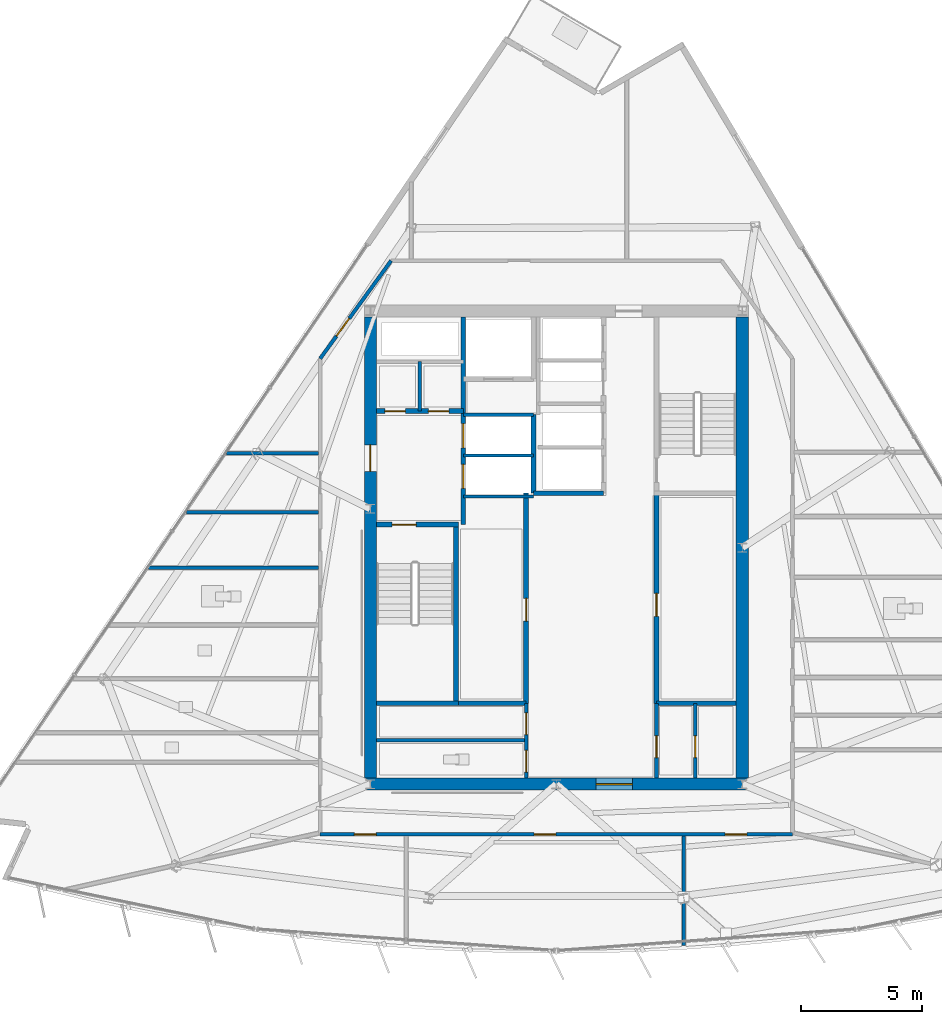
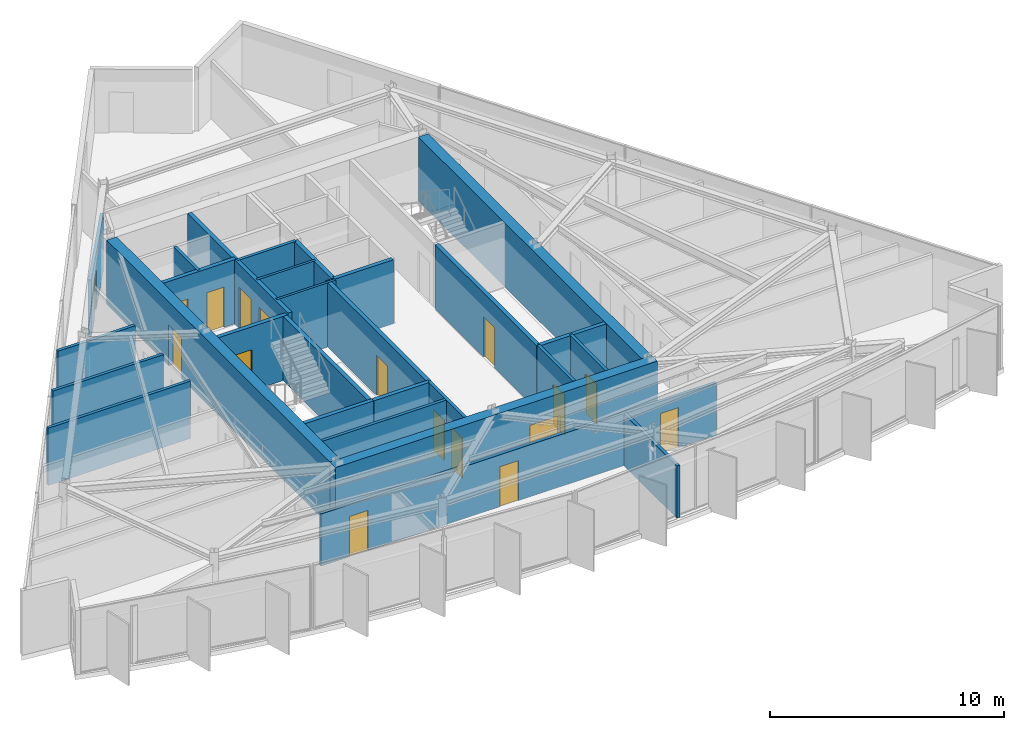
# One storey, part 7 of 13: 28 walls, 17 doors, 17 openings.
"""IFC4 building model written with IfcOpenShell, lengths in metres."""

from ifc_helpers import new_model, si_unit, direction, frame, frame_2d, origin, place, context, subcontext, project, spatial, rectangle, extrude, material, layer, layer_set, type_object, element, fill, save


model = new_model("IFC4")

# Units and contexts
model_context = context("Model", 3, precision=1e-05, world=origin(), true_north=direction((0.0, 1.0)))
body_context = subcontext(model_context, "Body", "Model", "MODEL_VIEW")
ifc_project = project(units=[si_unit("LENGTHUNIT", "METRE"), si_unit("AREAUNIT", "SQUARE_METRE"), si_unit("VOLUMEUNIT", "CUBIC_METRE"), si_unit("PLANEANGLEUNIT", "RADIAN"), si_unit("MASSUNIT", "GRAM", prefix="KILO")], contexts=[model_context])

# Site, building, storey
site_placement = place(None, origin())
site = spatial("IfcSite", under=ifc_project, at=site_placement, CompositionType="ELEMENT")
building_placement = place(site_placement, origin())
building = spatial("IfcBuilding", under=site, at=building_placement, Name="Savorim Split Tower", CompositionType="ELEMENT")
storey_placement = place(building_placement, frame((0.0, 0.0, 258.0)))
storey = spatial("IfcBuildingStorey", under=building, at=storey_placement, Name="L68", CompositionType="ELEMENT", Elevation=258.0)

# Wall, opening, door
ifc_material_1 = material(Name="Concrete C60/75", Category="concrete")
ifc_layer_1 = layer(ifc_material_1, 0.5)
ifc_layer_set_1 = layer_set([ifc_layer_1], Name="WAL-COR-SH500")
wall_type_1 = type_object("IfcWallType", Name="WAL-COR-SH500", PredefinedType="SHEAR", material=ifc_layer_set_1)
wall_1_placement = place(storey_placement, frame((-7.949951171875, -9.39990234375, 0.0), z_axis=(0.0, 0.0, 1.0), x_axis=(1.0, 0.0, 0.0)))
wall_1 = element("IfcWall", 1, at=wall_1_placement, inside=storey, type_object=wall_type_1, Name="L68 Offset Core South Shear Wall", PredefinedType="SHEAR", context=body_context, shape_type="SweptSolid", body=[
    extrude(rectangle(XDim=15.89990234375, YDim=0.5, at=frame_2d((7.949951171875, 0.0))), origin(), (0.0, 0.0, 1.0), 3.35009765625),
])
opening_1_placement = place(wall_1_placement, frame((9.60009765625, 0.0, 0.0)))
opening_1 = element("IfcOpeningElement", 2, at=opening_1_placement, cuts=wall_1, Name="Opening DI-02", PredefinedType="OPENING", context=body_context, shape_type="SweptSolid", body=[
    extrude(rectangle(XDim=1.5, YDim=2.199951171875, at=frame_2d((0.75, 1.10009765625))), frame((0.0, 0.260009765625, 0.0), z_axis=(0.0, -1.0, 0.0), x_axis=(1.0, 0.0, 0.0)), (0.0, 0.0, 1.0), 0.52001953125),
])
ifc_material_2 = material(Name="Timber Fire Door Leaf", Category="wood")
door_type_1 = type_object("IfcDoorType", Name="DOR-DBL-1500", OperationType="NOTDEFINED", PredefinedType="DOOR", material=ifc_material_2)
door_1_placement = place(opening_1_placement, origin())
door_1 = element("IfcDoor", 3, at=door_1_placement, inside=storey, type_object=door_type_1, Name="DOR-L68-COR-LLOB - L68 Lift Lobby Main Rated Door", OperationType="DOUBLE_DOOR_SINGLE_SWING", OverallHeight=2.199951171875, OverallWidth=1.5, PredefinedType="DOOR", context=body_context, shape_type="SweptSolid", body=[
    extrude(rectangle(XDim=1.5, YDim=2.199951171875, at=frame_2d((0.75, 1.10009765625))), frame((0.0, 0.02490234375, 0.0), z_axis=(0.0, -1.0, 0.0), x_axis=(1.0, 0.0, 0.0)), (0.0, 0.0, 1.0), 0.050048828125),
])
fill(opening_1, door_1)

wall_2_placement = place(storey_placement, frame((-7.699951171875, -9.14990234375, 0.0), z_axis=(0.0, 0.0, 1.0), x_axis=(0.0, 1.0, 0.0)))
wall_2 = element("IfcWall", 4, at=wall_2_placement, inside=storey, type_object=wall_type_1, Name="L68 Offset Core West Shear Wall", PredefinedType="SHEAR", context=body_context, shape_type="SweptSolid", body=[
    extrude(rectangle(XDim=19.099853515625, YDim=0.5, at=frame_2d((9.5498046875, 0.0))), origin(), (0.0, 0.0, 1.0), 3.35009765625),
])
opening_2_placement = place(wall_2_placement, frame((12.699951171875, 0.0, 0.0)))
opening_2 = element("IfcOpeningElement", 5, at=opening_2_placement, cuts=wall_2, Name="Opening DI-03", PredefinedType="OPENING", context=body_context, shape_type="SweptSolid", body=[
    extrude(rectangle(XDim=1.10009765625, YDim=2.14990234375, at=frame_2d((0.550048828125, 1.074951171875))), frame((0.0, 0.260009765625, 0.0), z_axis=(0.0, -1.0, 0.0), x_axis=(1.0, 0.0, 0.0)), (0.0, 0.0, 1.0), 0.52001953125),
])
door_type_2 = type_object("IfcDoorType", Name="DOR-FIR-1100", OperationType="NOTDEFINED", PredefinedType="DOOR", material=ifc_material_2)
door_2_placement = place(opening_2_placement, origin())
door_2 = element("IfcDoor", 6, at=door_2_placement, inside=storey, type_object=door_type_2, Name="DOR-L68-COR-FFLOB - L68 Firefighting Lobby Corridor Door", OperationType="SINGLE_SWING_RIGHT", OverallHeight=2.14990234375, OverallWidth=1.10009765625, PredefinedType="DOOR", context=body_context, shape_type="SweptSolid", body=[
    extrude(rectangle(XDim=1.10009765625, YDim=2.14990234375, at=frame_2d((0.550048828125, 1.074951171875))), frame((0.0, 0.02490234375, 0.0), z_axis=(0.0, -1.0, 0.0), x_axis=(1.0, 0.0, 0.0)), (0.0, 0.0, 1.0), 0.050048828125),
])
fill(opening_2, door_2)

# Wall
wall_3_placement = place(storey_placement, frame((7.699951171875, 9.949951171875, 0.0), z_axis=(0.0, 0.0, 1.0), x_axis=(0.0, -1.0, 0.0)))
element("IfcWall", 7, at=wall_3_placement, inside=storey, type_object=wall_type_1, Name="L68 Offset Core East Shear Wall", PredefinedType="SHEAR", context=body_context, shape_type="SweptSolid", body=[
    extrude(rectangle(XDim=19.099853515625, YDim=0.5, at=frame_2d((9.5498046875, 0.0))), origin(), (0.0, 0.0, 1.0), 3.35009765625),
])

# Wall, opening, door
ifc_material_3 = material(Name="Concrete C50/60", Category="concrete")
ifc_layer_2 = layer(ifc_material_3, 0.199951171875)
ifc_layer_set_2 = layer_set([ifc_layer_2], Name="WAL-INT-RC200")
wall_type_2 = type_object("IfcWallType", Name="WAL-INT-RC200", PredefinedType="SOLIDWALL", material=ifc_layer_set_2)
wall_4_placement = place(storey_placement, frame((-7.449951171875, 1.35009765625, 0.0), z_axis=(0.0, 0.0, 1.0), x_axis=(1.0, 0.0, 0.0)))
wall_4 = element("IfcWall", 8, at=wall_4_placement, inside=storey, type_object=wall_type_2, Name="L68 Structural Shaft Wall W-L68-CR01", PredefinedType="SOLIDWALL", context=body_context, shape_type="SweptSolid", body=[
    extrude(rectangle(XDim=3.39990234375, YDim=0.199951171875, at=frame_2d((1.699951171875, 0.0))), origin(), (0.0, 0.0, 1.0), 3.35009765625),
])
opening_3_placement = place(wall_4_placement, frame((0.64990234375, 0.0, 0.0)))
opening_3 = element("IfcOpeningElement", 9, at=opening_3_placement, cuts=wall_4, Name="Opening DI-04", PredefinedType="OPENING", context=body_context, shape_type="SweptSolid", body=[
    extrude(rectangle(XDim=1.0, YDim=2.14990234375, at=frame_2d((0.5, 1.074951171875))), frame((0.0, 0.10986328125, 0.0), z_axis=(0.0, -1.0, 0.0), x_axis=(1.0, 0.0, 0.0)), (0.0, 0.0, 1.0), 0.219970703125),
])
door_type_3 = type_object("IfcDoorType", Name="DOR-FIR-1000", OperationType="NOTDEFINED", PredefinedType="DOOR", material=ifc_material_2)
door_3_placement = place(opening_3_placement, origin())
door_3 = element("IfcDoor", 10, at=door_3_placement, inside=storey, type_object=door_type_3, Name="DR-L68-ST1 - L68 Stair ST-1 Enclosure Door", OperationType="SINGLE_SWING_LEFT", OverallHeight=2.14990234375, OverallWidth=1.0, PredefinedType="DOOR", context=body_context, shape_type="SweptSolid", body=[
    extrude(rectangle(XDim=1.0, YDim=2.14990234375, at=frame_2d((0.5, 1.074951171875))), frame((0.0, 0.02490234375, 0.0), z_axis=(0.0, -1.0, 0.0), x_axis=(1.0, 0.0, 0.0)), (0.0, 0.0, 1.0), 0.050048828125),
])
fill(opening_3, door_3)

# Wall
wall_5_placement = place(storey_placement, frame((-4.14990234375, -5.949951171875, 0.0), z_axis=(0.0, 0.0, 1.0), x_axis=(0.0, 1.0, 0.0)))
element("IfcWall", 11, at=wall_5_placement, inside=storey, type_object=wall_type_2, Name="L68 Structural Shaft Wall W-L68-CR02", PredefinedType="SOLIDWALL", context=body_context, shape_type="SweptSolid", body=[
    extrude(rectangle(XDim=7.199951171875, YDim=0.199951171875, at=frame_2d((3.60009765625, 0.0))), origin(), (0.0, 0.0, 1.0), 3.35009765625),
])

# Wall, openings, doors
wall_6_placement = place(storey_placement, frame((-3.85009765625, 1.35009765625, 0.0), z_axis=(0.0, 0.0, 1.0), x_axis=(0.0, 1.0, 0.0)))
wall_6 = element("IfcWall", 12, at=wall_6_placement, inside=storey, type_object=wall_type_2, Name="L68 Partition W-L68-CR03", PredefinedType="SOLIDWALL", context=body_context, shape_type="SweptSolid", body=[
    extrude(rectangle(XDim=8.594970703125, YDim=0.199951171875, at=frame_2d((4.29736328125, 0.0))), origin(), (0.0, 0.0, 1.0), 3.35009765625),
])
opening_4_placement = place(wall_6_placement, frame((1.5, 0.0, 0.0)))
opening_4 = element("IfcOpeningElement", 13, at=opening_4_placement, cuts=wall_6, Name="Opening LD-FFL", PredefinedType="OPENING", context=body_context, shape_type="SweptSolid", body=[
    extrude(rectangle(XDim=1.0, YDim=2.14990234375, at=frame_2d((0.5, 1.074951171875))), frame((0.0, 0.10986328125, 0.0), z_axis=(0.0, -1.0, 0.0), x_axis=(1.0, 0.0, 0.0)), (0.0, 0.0, 1.0), 0.219970703125),
])
opening_5_placement = place(wall_6_placement, frame((3.179931640625, 0.0, 0.0)))
opening_5 = element("IfcOpeningElement", 14, at=opening_5_placement, cuts=wall_6, Name="Opening LD-FFL", PredefinedType="OPENING", context=body_context, shape_type="SweptSolid", body=[
    extrude(rectangle(XDim=1.0, YDim=2.14990234375, at=frame_2d((0.5, 1.074951171875))), frame((0.0, 0.10986328125, 0.0), z_axis=(0.0, -1.0, 0.0), x_axis=(1.0, 0.0, 0.0)), (0.0, 0.0, 1.0), 0.219970703125),
])
ifc_material_4 = material(Name="Charcoal Anodised Aluminium", Category="aluminium")
door_type_4 = type_object("IfcDoorType", Name="DOR-SLD-LD1000", OperationType="NOTDEFINED", PredefinedType="DOOR", material=ifc_material_4)
door_4_placement = place(opening_4_placement, origin())
door_4 = element("IfcDoor", 15, at=door_4_placement, inside=storey, type_object=door_type_4, Name="DR-L68-LD-FFL1 - L68 Firefighting Lift FFL-1 Sliding Landing Door", OperationType="DOUBLE_DOOR_SLIDING", OverallHeight=2.14990234375, OverallWidth=1.0, PredefinedType="DOOR", context=body_context, shape_type="SweptSolid", body=[
    extrude(rectangle(XDim=1.0, YDim=2.14990234375, at=frame_2d((0.5, 1.074951171875))), frame((0.0, 0.02490234375, 0.0), z_axis=(0.0, -1.0, 0.0), x_axis=(1.0, 0.0, 0.0)), (0.0, 0.0, 1.0), 0.050048828125),
])
fill(opening_4, door_4)
door_5_placement = place(opening_5_placement, origin())
door_5 = element("IfcDoor", 16, at=door_5_placement, inside=storey, type_object=door_type_4, Name="DR-L68-LD-FFL2 - L68 Firefighting Lift FFL-2 Sliding Landing Door", OperationType="DOUBLE_DOOR_SLIDING", OverallHeight=2.14990234375, OverallWidth=1.0, PredefinedType="DOOR", context=body_context, shape_type="SweptSolid", body=[
    extrude(rectangle(XDim=1.0, YDim=2.14990234375, at=frame_2d((0.5, 1.074951171875))), frame((0.0, 0.02490234375, 0.0), z_axis=(0.0, -1.0, 0.0), x_axis=(1.0, 0.0, 0.0)), (0.0, 0.0, 1.0), 0.050048828125),
])
fill(opening_5, door_5)

wall_7_placement = place(storey_placement, frame((-7.445068359375, 6.050048828125, 0.0), z_axis=(0.0, 0.0, 1.0), x_axis=(1.0, 0.0, 0.0)))
wall_7 = element("IfcWall", 17, at=wall_7_placement, inside=storey, type_object=wall_type_2, Name="L68 Partition W-L68-CR04", PredefinedType="SOLIDWALL", context=body_context, shape_type="SweptSolid", body=[
    extrude(rectangle(XDim=3.594970703125, YDim=0.199951171875, at=frame_2d((1.79736328125, 0.0))), origin(), (0.0, 0.0, 1.0), 3.35009765625),
])
opening_6_placement = place(wall_7_placement, frame((0.344970703125, 0.0, 0.0)))
opening_6 = element("IfcOpeningElement", 18, at=opening_6_placement, cuts=wall_7, Name="Opening DI-12", PredefinedType="OPENING", context=body_context, shape_type="SweptSolid", body=[
    extrude(rectangle(XDim=0.85009765625, YDim=2.10009765625, at=frame_2d((0.425048828125, 1.050048828125))), frame((0.0, 0.10986328125, 0.0), z_axis=(0.0, -1.0, 0.0), x_axis=(1.0, 0.0, 0.0)), (0.0, 0.0, 1.0), 0.219970703125),
])
opening_7_placement = place(wall_7_placement, frame((2.14501953125, 0.0, 0.0)))
opening_7 = element("IfcOpeningElement", 19, at=opening_7_placement, cuts=wall_7, Name="Opening DI-12", PredefinedType="OPENING", context=body_context, shape_type="SweptSolid", body=[
    extrude(rectangle(XDim=0.85009765625, YDim=2.10009765625, at=frame_2d((0.425048828125, 1.050048828125))), frame((0.0, 0.10986328125, 0.0), z_axis=(0.0, -1.0, 0.0), x_axis=(1.0, 0.0, 0.0)), (0.0, 0.0, 1.0), 0.219970703125),
])
ifc_material_5 = material(Name="Galvanised Painted Steel Balustrade", Category="steel")
door_type_5 = type_object("IfcDoorType", Name="DOR-RIS-850", OperationType="NOTDEFINED", PredefinedType="DOOR", material=ifc_material_5)
door_6_placement = place(opening_6_placement, origin())
door_6 = element("IfcDoor", 20, at=door_6_placement, inside=storey, type_object=door_type_5, Name="DR-L68-ELR - L68 Electrical Riser Access Door", OperationType="SINGLE_SWING_RIGHT", OverallHeight=2.10009765625, OverallWidth=0.85009765625, PredefinedType="DOOR", context=body_context, shape_type="SweptSolid", body=[
    extrude(rectangle(XDim=0.85009765625, YDim=2.10009765625, at=frame_2d((0.425048828125, 1.050048828125))), frame((0.0, 0.02490234375, 0.0), z_axis=(0.0, -1.0, 0.0), x_axis=(1.0, 0.0, 0.0)), (0.0, 0.0, 1.0), 0.050048828125),
])
fill(opening_6, door_6)
door_7_placement = place(opening_7_placement, origin())
door_7 = element("IfcDoor", 21, at=door_7_placement, inside=storey, type_object=door_type_5, Name="DR-L68-TLR - L68 Telecom Riser Access Door", OperationType="SINGLE_SWING_LEFT", OverallHeight=2.10009765625, OverallWidth=0.85009765625, PredefinedType="DOOR", context=body_context, shape_type="SweptSolid", body=[
    extrude(rectangle(XDim=0.85009765625, YDim=2.10009765625, at=frame_2d((0.425048828125, 1.050048828125))), frame((0.0, 0.02490234375, 0.0), z_axis=(0.0, -1.0, 0.0), x_axis=(1.0, 0.0, 0.0)), (0.0, 0.0, 1.0), 0.050048828125),
])
fill(opening_7, door_7)

# Wall
wall_8_placement = place(storey_placement, frame((-0.949951171875, 2.64990234375, 0.0), z_axis=(0.0, 0.0, 1.0), x_axis=(0.0, 1.0, 0.0)))
element("IfcWall", 22, at=wall_8_placement, inside=storey, type_object=wall_type_2, Name="L68 Partition W-L68-FFLW", PredefinedType="SOLIDWALL", context=body_context, shape_type="SweptSolid", body=[
    extrude(rectangle(XDim=3.27001953125, YDim=0.199951171875, at=frame_2d((1.635009765625, 0.0))), origin(), (0.0, 0.0, 1.0), 3.35009765625),
])

# Wall, opening, door
wall_9_placement = place(storey_placement, frame((4.14990234375, -6.050048828125, 0.0), z_axis=(0.0, 0.0, 1.0), x_axis=(0.0, 1.0, 0.0)))
wall_9 = element("IfcWall", 23, at=wall_9_placement, inside=storey, type_object=wall_type_2, Name="L68 Partition W-L68-B1FRONT", PredefinedType="SOLIDWALL", context=body_context, shape_type="SweptSolid", body=[
    extrude(rectangle(XDim=8.699951171875, YDim=0.199951171875, at=frame_2d((4.35009765625, 0.0))), origin(), (0.0, 0.0, 1.0), 3.35009765625),
])
opening_8_placement = place(wall_9_placement, frame((3.60009765625, 0.0, 0.0)))
opening_8 = element("IfcOpeningElement", 24, at=opening_8_placement, cuts=wall_9, Name="Opening DI-05", PredefinedType="OPENING", context=body_context, shape_type="SweptSolid", body=[
    extrude(rectangle(XDim=0.949951171875, YDim=2.10009765625, at=frame_2d((0.47509765625, 1.050048828125))), frame((0.0, 0.10986328125, 0.0), z_axis=(0.0, -1.0, 0.0), x_axis=(1.0, 0.0, 0.0)), (0.0, 0.0, 1.0), 0.219970703125),
])
door_type_6 = type_object("IfcDoorType", Name="DOR-FIR-950", OperationType="NOTDEFINED", PredefinedType="DOOR", material=ifc_material_2)
door_8_placement = place(opening_8_placement, origin())
door_8 = element("IfcDoor", 25, at=door_8_placement, inside=storey, type_object=door_type_6, Name="DR-L68-LV7B1 - L68 Shared Pantry and Linen Room Door", OperationType="SINGLE_SWING_RIGHT", OverallHeight=2.10009765625, OverallWidth=0.949951171875, PredefinedType="DOOR", context=body_context, shape_type="SweptSolid", body=[
    extrude(rectangle(XDim=0.949951171875, YDim=2.10009765625, at=frame_2d((0.47509765625, 1.050048828125))), frame((0.0, 0.02490234375, 0.0), z_axis=(0.0, -1.0, 0.0), x_axis=(1.0, 0.0, 0.0)), (0.0, 0.0, 1.0), 0.050048828125),
])
fill(opening_8, door_8)

wall_10_placement = place(storey_placement, frame((-1.25, -6.050048828125, 0.0), z_axis=(0.0, 0.0, 1.0), x_axis=(0.0, 1.0, 0.0)))
wall_10 = element("IfcWall", 26, at=wall_10_placement, inside=storey, type_object=wall_type_2, Name="L68 Partition W-L68-B2FRONT", PredefinedType="SOLIDWALL", context=body_context, shape_type="SweptSolid", body=[
    extrude(rectangle(XDim=8.699951171875, YDim=0.199951171875, at=frame_2d((4.35009765625, 0.0))), origin(), (0.0, 0.0, 1.0), 3.35009765625),
])
opening_9_placement = place(wall_10_placement, frame((3.39990234375, 0.0, 0.0)))
opening_9 = element("IfcOpeningElement", 27, at=opening_9_placement, cuts=wall_10, Name="Opening DI-05", PredefinedType="OPENING", context=body_context, shape_type="SweptSolid", body=[
    extrude(rectangle(XDim=0.949951171875, YDim=2.10009765625, at=frame_2d((0.47509765625, 1.050048828125))), frame((0.0, 0.10986328125, 0.0), z_axis=(0.0, -1.0, 0.0), x_axis=(1.0, 0.0, 0.0)), (0.0, 0.0, 1.0), 0.219970703125),
])
door_9_placement = place(opening_9_placement, origin())
door_9 = element("IfcDoor", 28, at=door_9_placement, inside=storey, type_object=door_type_6, Name="DR-L68-LV7B2 - L68 Housekeeping and Parcel Room Door", OperationType="SINGLE_SWING_LEFT", OverallHeight=2.10009765625, OverallWidth=0.949951171875, PredefinedType="DOOR", context=body_context, shape_type="SweptSolid", body=[
    extrude(rectangle(XDim=0.949951171875, YDim=2.10009765625, at=frame_2d((0.47509765625, 1.050048828125))), frame((0.0, 0.02490234375, 0.0), z_axis=(0.0, -1.0, 0.0), x_axis=(1.0, 0.0, 0.0)), (0.0, 0.0, 1.0), 0.050048828125),
])
fill(opening_9, door_9)

# Walls
wall_11_placement = place(storey_placement, frame((-0.949951171875, 2.64990234375, 0.0), z_axis=(0.0, 0.0, 1.0), x_axis=(1.0, 0.0, 0.0)))
element("IfcWall", 29, at=wall_11_placement, inside=storey, type_object=wall_type_2, Name="L68 Partition W-L68-B3SOUTH", PredefinedType="SOLIDWALL", context=body_context, shape_type="SweptSolid", body=[
    extrude(rectangle(XDim=2.89990234375, YDim=0.199951171875, at=frame_2d((1.449951171875, 0.0))), origin(), (0.0, 0.0, 1.0), 3.35009765625),
])
wall_12_placement = place(storey_placement, frame((-7.449951171875, -6.050048828125, 0.0), z_axis=(0.0, 0.0, 1.0), x_axis=(1.0, 0.0, 0.0)))
element("IfcWall", 30, at=wall_12_placement, inside=storey, type_object=wall_type_2, Name="L68 Structural Shaft Wall W-L68-KSEP-W", PredefinedType="SOLIDWALL", context=body_context, shape_type="SweptSolid", body=[
    extrude(rectangle(XDim=3.39990234375, YDim=0.199951171875, at=frame_2d((1.699951171875, 0.0))), origin(), (0.0, 0.0, 1.0), 3.35009765625),
])
wall_13_placement = place(storey_placement, frame((-4.0400390625, -6.050048828125, 0.0), z_axis=(0.0, 0.0, 1.0), x_axis=(1.0, 0.0, 0.0)))
element("IfcWall", 31, at=wall_13_placement, inside=storey, type_object=wall_type_2, Name="L68 Partition W-L68-KSEP-W2", PredefinedType="SOLIDWALL", context=body_context, shape_type="SweptSolid", body=[
    extrude(rectangle(XDim=2.7900390625, YDim=0.199951171875, at=frame_2d((1.39501953125, 0.0))), origin(), (0.0, 0.0, 1.0), 3.35009765625),
])
wall_14_placement = place(storey_placement, frame((4.14990234375, -6.050048828125, 0.0), z_axis=(0.0, 0.0, 1.0), x_axis=(1.0, 0.0, 0.0)))
element("IfcWall", 32, at=wall_14_placement, inside=storey, type_object=wall_type_2, Name="L68 Partition W-L68-KSEP-E", PredefinedType="SOLIDWALL", context=body_context, shape_type="SweptSolid", body=[
    extrude(rectangle(XDim=3.295166015625, YDim=0.199951171875, at=frame_2d((1.6474609375, 0.0))), origin(), (0.0, 0.0, 1.0), 3.35009765625),
])
ifc_material_6 = material(Name="Acoustic Gypsum Partition Board")
ifc_layer_3 = layer(ifc_material_6, 0.1201171875)
ifc_layer_set_3 = layer_set([ifc_layer_3], Name="WAL-PAR-120")
wall_type_3 = type_object("IfcWallType", Name="WAL-PAR-120", PredefinedType="PARTITIONING", material=ifc_layer_set_3)
for number, where, z_axis, x_axis, name in (
    (33, (-3.85009765625, 2.52001953125, 0.0), (0.0, 0.0, 1.0), (1.0, 0.0, 0.0), "L68 Partition W-L68-FFLD0"),
    (34, (-3.85009765625, 4.219970703125, 0.0), (0.0, 0.0, 1.0), (1.0, 0.0, 0.0), "L68 Partition W-L68-FFLD1"),
):
    element("IfcWall", number, at=place(storey_placement, frame(where, z_axis=z_axis, x_axis=x_axis)), inside=storey, type_object=wall_type_3, Name=name, PredefinedType="PARTITIONING", context=body_context, shape_type="SweptSolid", body=[
        extrude(rectangle(XDim=2.900146484375, YDim=0.1201171875, at=frame_2d((1.4501953125, 0.0))), origin(), (0.0, 0.0, 1.0), 3.35009765625),
    ])
ifc_layer_4 = layer(ifc_material_6, 0.14990234375)
ifc_layer_set_4 = layer_set([ifc_layer_4], Name="WAL-PAR-150")
wall_type_4 = type_object("IfcWallType", Name="WAL-PAR-150", PredefinedType="PARTITIONING", material=ifc_layer_set_4)
wall_15_placement = place(storey_placement, frame((-5.64990234375, 6.050048828125, 0.0), z_axis=(0.0, 0.0, 1.0), x_axis=(0.0, 1.0, 0.0)))
element("IfcWall", 35, at=wall_15_placement, inside=storey, type_object=wall_type_4, Name="L68 Partition W-L68-CR06", PredefinedType="PARTITIONING", context=body_context, shape_type="SweptSolid", body=[
    extrude(rectangle(XDim=2.050048828125, YDim=0.14990234375, at=frame_2d((1.02490234375, 0.0))), origin(), (0.0, 0.0, 1.0), 3.35009765625),
])
wall_16_placement = place(storey_placement, frame((-3.85009765625, 5.89990234375, 0.0), z_axis=(0.0, 0.0, 1.0), x_axis=(1.0, 0.0, 0.0)))
element("IfcWall", 36, at=wall_16_placement, inside=storey, type_object=wall_type_4, Name="L68 Partition W-L68-FFLD2", PredefinedType="PARTITIONING", context=body_context, shape_type="SweptSolid", body=[
    extrude(rectangle(XDim=2.900146484375, YDim=0.14990234375, at=frame_2d((1.4501953125, 0.0))), origin(), (0.0, 0.0, 1.0), 3.35009765625),
])

# Wall, openings, doors
wall_17_placement = place(storey_placement, frame((-1.25, -9.14501953125, 0.0), z_axis=(0.0, 0.0, 1.0), x_axis=(0.0, 1.0, 0.0)))
wall_17 = element("IfcWall", 37, at=wall_17_placement, inside=storey, type_object=wall_type_4, Name="L68 Partition W-L68-KLOB-W", PredefinedType="PARTITIONING", context=body_context, shape_type="SweptSolid", body=[
    extrude(rectangle(XDim=3.094970703125, YDim=0.14990234375, at=frame_2d((1.54736328125, 0.0))), origin(), (0.0, 0.0, 1.0), 3.35009765625),
])
opening_10_placement = place(wall_17_placement, frame((1.794921875, 0.0, 0.0)))
opening_10 = element("IfcOpeningElement", 38, at=opening_10_placement, cuts=wall_17, Name="Opening DI-06", PredefinedType="OPENING", context=body_context, shape_type="SweptSolid", body=[
    extrude(rectangle(XDim=0.89990234375, YDim=2.10009765625, at=frame_2d((0.449951171875, 1.050048828125))), frame((0.0, 0.0849609375, 0.0), z_axis=(0.0, -1.0, 0.0), x_axis=(1.0, 0.0, 0.0)), (0.0, 0.0, 1.0), 0.169921875),
])
opening_11_placement = place(wall_17_placement, frame((0.2451171875, 0.0, 0.0)))
opening_11 = element("IfcOpeningElement", 39, at=opening_11_placement, cuts=wall_17, Name="Opening DI-11", PredefinedType="OPENING", context=body_context, shape_type="SweptSolid", body=[
    extrude(rectangle(XDim=0.89990234375, YDim=2.10009765625, at=frame_2d((0.449951171875, 1.050048828125))), frame((0.0, 0.0849609375, 0.0), z_axis=(0.0, -1.0, 0.0), x_axis=(1.0, 0.0, 0.0)), (0.0, 0.0, 1.0), 0.169921875),
])
door_type_7 = type_object("IfcDoorType", Name="DOR-FIR-900", OperationType="NOTDEFINED", PredefinedType="DOOR", material=ifc_material_2)
door_10_placement = place(opening_10_placement, origin())
door_10 = element("IfcDoor", 40, at=door_10_placement, inside=storey, type_object=door_type_7, Name="DR-L68-K2CLN - L68 Cleaning Store Door", OperationType="SINGLE_SWING_LEFT", OverallHeight=2.10009765625, OverallWidth=0.89990234375, PredefinedType="DOOR", context=body_context, shape_type="SweptSolid", body=[
    extrude(rectangle(XDim=0.89990234375, YDim=2.10009765625, at=frame_2d((0.449951171875, 1.050048828125))), frame((0.0, 0.02490234375, 0.0), z_axis=(0.0, -1.0, 0.0), x_axis=(1.0, 0.0, 0.0)), (0.0, 0.0, 1.0), 0.050048828125),
])
fill(opening_10, door_10)
ifc_material_7 = material(Name="Oak Veneer Acoustic Door")
door_type_8 = type_object("IfcDoorType", Name="DOR-WC-900", OperationType="NOTDEFINED", PredefinedType="DOOR", material=ifc_material_7)
door_11_placement = place(opening_11_placement, origin())
door_11 = element("IfcDoor", 41, at=door_11_placement, inside=storey, type_object=door_type_8, Name="DR-L68-K2WC - L68 Core WC Door", OperationType="SINGLE_SWING_RIGHT", OverallHeight=2.10009765625, OverallWidth=0.89990234375, PredefinedType="DOOR", context=body_context, shape_type="SweptSolid", body=[
    extrude(rectangle(XDim=0.89990234375, YDim=2.10009765625, at=frame_2d((0.449951171875, 1.050048828125))), frame((0.0, 0.02490234375, 0.0), z_axis=(0.0, -1.0, 0.0), x_axis=(1.0, 0.0, 0.0)), (0.0, 0.0, 1.0), 0.050048828125),
])
fill(opening_11, door_11)

# Wall, opening, door
wall_18_placement = place(storey_placement, frame((4.14990234375, -9.14501953125, 0.0), z_axis=(0.0, 0.0, 1.0), x_axis=(0.0, 1.0, 0.0)))
wall_18 = element("IfcWall", 42, at=wall_18_placement, inside=storey, type_object=wall_type_4, Name="L68 Partition W-L68-KLOB-E", PredefinedType="PARTITIONING", context=body_context, shape_type="SweptSolid", body=[
    extrude(rectangle(XDim=3.094970703125, YDim=0.14990234375, at=frame_2d((1.54736328125, 0.0))), origin(), (0.0, 0.0, 1.0), 3.35009765625),
])
opening_12_placement = place(wall_18_placement, frame((0.844970703125, 0.0, 0.0)))
opening_12 = element("IfcOpeningElement", 43, at=opening_12_placement, cuts=wall_18, Name="Opening DI-06", PredefinedType="OPENING", context=body_context, shape_type="SweptSolid", body=[
    extrude(rectangle(XDim=0.89990234375, YDim=2.10009765625, at=frame_2d((0.449951171875, 1.050048828125))), frame((0.0, 0.0849609375, 0.0), z_axis=(0.0, -1.0, 0.0), x_axis=(1.0, 0.0, 0.0)), (0.0, 0.0, 1.0), 0.169921875),
])
door_12_placement = place(opening_12_placement, origin())
door_12 = element("IfcDoor", 44, at=door_12_placement, inside=storey, type_object=door_type_7, Name="DR-L68-K2PAN - L68 Vending Pantry Door", OperationType="SINGLE_SWING_LEFT", OverallHeight=2.10009765625, OverallWidth=0.89990234375, PredefinedType="DOOR", context=body_context, shape_type="SweptSolid", body=[
    extrude(rectangle(XDim=0.89990234375, YDim=2.10009765625, at=frame_2d((0.449951171875, 1.050048828125))), frame((0.0, 0.02490234375, 0.0), z_axis=(0.0, -1.0, 0.0), x_axis=(1.0, 0.0, 0.0)), (0.0, 0.0, 1.0), 0.050048828125),
])
fill(opening_12, door_12)

# Wall
wall_19_placement = place(storey_placement, frame((-7.445068359375, -7.580078125, 0.0), z_axis=(0.0, 0.0, 1.0), x_axis=(1.0, 0.0, 0.0)))
element("IfcWall", 45, at=wall_19_placement, inside=storey, type_object=wall_type_4, Name="L68 Partition W-L68-K2H", PredefinedType="PARTITIONING", context=body_context, shape_type="SweptSolid", body=[
    extrude(rectangle(XDim=6.195068359375, YDim=0.14990234375, at=frame_2d((3.09765625, 0.0))), origin(), (0.0, 0.0, 1.0), 3.35009765625),
])

# Wall, opening, door
wall_20_placement = place(storey_placement, frame((5.75, -9.14501953125, 0.0), z_axis=(0.0, 0.0, 1.0), x_axis=(0.0, 1.0, 0.0)))
wall_20 = element("IfcWall", 46, at=wall_20_placement, inside=storey, type_object=wall_type_4, Name="L68 Partition W-L68-K2E", PredefinedType="PARTITIONING", context=body_context, shape_type="SweptSolid", body=[
    extrude(rectangle(XDim=3.094970703125, YDim=0.14990234375, at=frame_2d((1.54736328125, 0.0))), origin(), (0.0, 0.0, 1.0), 3.35009765625),
])
opening_13_placement = place(wall_20_placement, frame((0.844970703125, 0.0, 0.0)))
opening_13 = element("IfcOpeningElement", 47, at=opening_13_placement, cuts=wall_20, Name="Opening DI-06", PredefinedType="OPENING", context=body_context, shape_type="SweptSolid", body=[
    extrude(rectangle(XDim=0.89990234375, YDim=2.10009765625, at=frame_2d((0.449951171875, 1.050048828125))), frame((0.0, 0.0849609375, 0.0), z_axis=(0.0, -1.0, 0.0), x_axis=(1.0, 0.0, 0.0)), (0.0, 0.0, 1.0), 0.169921875),
])
door_13_placement = place(opening_13_placement, origin())
door_13 = element("IfcDoor", 48, at=door_13_placement, inside=storey, type_object=door_type_7, Name="DR-L68-K2REF - L68 Recycling Room Door", OperationType="SINGLE_SWING_RIGHT", OverallHeight=2.10009765625, OverallWidth=0.89990234375, PredefinedType="DOOR", context=body_context, shape_type="SweptSolid", body=[
    extrude(rectangle(XDim=0.89990234375, YDim=2.10009765625, at=frame_2d((0.449951171875, 1.050048828125))), frame((0.0, 0.02490234375, 0.0), z_axis=(0.0, -1.0, 0.0), x_axis=(1.0, 0.0, 0.0)), (0.0, 0.0, 1.0), 0.050048828125),
])
fill(opening_13, door_13)

wall_21_placement = place(storey_placement, frame((-9.780029296875, 8.225830078125, 0.0), z_axis=(0.0, 0.0, 1.0), x_axis=(0.586956386413, 0.809618552436, 0.0)))
wall_21 = element("IfcWall", 49, at=wall_21_placement, inside=storey, type_object=wall_type_4, Name="L68 Partition W-L68-COR-02", PredefinedType="PARTITIONING", context=body_context, shape_type="SweptSolid", body=[
    extrude(rectangle(XDim=5.007568359375, YDim=0.14990234375, at=frame_2d((2.50390625, 0.0))), origin(), (0.0, 0.0, 1.0), 2.965087890625),
])
opening_14_placement = place(wall_21_placement, frame((1.15380859375, 0.0, 0.0)))
opening_14 = element("IfcOpeningElement", 50, at=opening_14_placement, cuts=wall_21, Name="Opening DI-06", PredefinedType="OPENING", context=body_context, shape_type="SweptSolid", body=[
    extrude(rectangle(XDim=0.89990234375, YDim=2.10009765625, at=frame_2d((0.449951171875, 1.050048828125))), frame((0.0, 0.0849609375, 0.0), z_axis=(0.0, -1.0, 0.0), x_axis=(1.0, 0.0, 0.0)), (0.0, 0.0, 1.0), 0.169921875),
])
door_14_placement = place(opening_14_placement, origin())
door_14 = element("IfcDoor", 51, at=door_14_placement, inside=storey, type_object=door_type_7, Name="DR-L68-RM18 - L68 Co-Living Bedroom Entry Door", OperationType="SINGLE_SWING_LEFT", OverallHeight=2.10009765625, OverallWidth=0.89990234375, PredefinedType="DOOR", context=body_context, shape_type="SweptSolid", body=[
    extrude(rectangle(XDim=0.89990234375, YDim=2.10009765625, at=frame_2d((0.449951171875, 1.050048828125))), frame((0.0, 0.02490234375, 0.0), z_axis=(0.0, -1.0, 0.0), x_axis=(1.0, 0.0, 0.0)), (0.0, 0.0, 1.0), 0.050048828125),
])
fill(opening_14, door_14)

# Wall, openings, doors
wall_22_placement = place(storey_placement, frame((9.780029296875, -11.47998046875, 0.0), z_axis=(0.0, 0.0, 1.0), x_axis=(-1.0, 0.0, 0.0)))
wall_22 = element("IfcWall", 52, at=wall_22_placement, inside=storey, type_object=wall_type_4, Name="L68 Partition W-L68-COR-06", PredefinedType="PARTITIONING", context=body_context, shape_type="SweptSolid", body=[
    extrude(rectangle(XDim=19.56005859375, YDim=0.14990234375, at=frame_2d((9.780029296875, 0.0))), origin(), (0.0, 0.0, 1.0), 2.72509765625),
])
opening_15_placement = place(wall_22_placement, frame((17.238525390625, 0.0, 0.0)))
opening_15 = element("IfcOpeningElement", 53, at=opening_15_placement, cuts=wall_22, Name="Opening DI-06", PredefinedType="OPENING", context=body_context, shape_type="SweptSolid", body=[
    extrude(rectangle(XDim=0.89990234375, YDim=2.10009765625, at=frame_2d((0.449951171875, 1.050048828125))), frame((0.0, 0.0849609375, 0.0), z_axis=(0.0, -1.0, 0.0), x_axis=(1.0, 0.0, 0.0)), (0.0, 0.0, 1.0), 0.169921875),
])
opening_16_placement = place(wall_22_placement, frame((9.799560546875, 0.0, 0.0)))
opening_16 = element("IfcOpeningElement", 54, at=opening_16_placement, cuts=wall_22, Name="Opening DI-06", PredefinedType="OPENING", context=body_context, shape_type="SweptSolid", body=[
    extrude(rectangle(XDim=0.89990234375, YDim=2.10009765625, at=frame_2d((0.449951171875, 1.050048828125))), frame((0.0, 0.0849609375, 0.0), z_axis=(0.0, -1.0, 0.0), x_axis=(1.0, 0.0, 0.0)), (0.0, 0.0, 1.0), 0.169921875),
])
opening_17_placement = place(wall_22_placement, frame((1.89111328125, 0.0, 0.0)))
opening_17 = element("IfcOpeningElement", 55, at=opening_17_placement, cuts=wall_22, Name="Opening DI-06", PredefinedType="OPENING", context=body_context, shape_type="SweptSolid", body=[
    extrude(rectangle(XDim=0.89990234375, YDim=2.10009765625, at=frame_2d((0.449951171875, 1.050048828125))), frame((0.0, 0.0849609375, 0.0), z_axis=(0.0, -1.0, 0.0), x_axis=(1.0, 0.0, 0.0)), (0.0, 0.0, 1.0), 0.169921875),
])
door_15_placement = place(opening_15_placement, origin())
door_15 = element("IfcDoor", 56, at=door_15_placement, inside=storey, type_object=door_type_7, Name="DR-L68-RM06 - L68 Co-Living Bedroom Entry Door", OperationType="SINGLE_SWING_LEFT", OverallHeight=2.10009765625, OverallWidth=0.89990234375, PredefinedType="DOOR", context=body_context, shape_type="SweptSolid", body=[
    extrude(rectangle(XDim=0.89990234375, YDim=2.10009765625, at=frame_2d((0.449951171875, 1.050048828125))), frame((0.0, 0.02490234375, 0.0), z_axis=(0.0, -1.0, 0.0), x_axis=(1.0, 0.0, 0.0)), (0.0, 0.0, 1.0), 0.050048828125),
])
fill(opening_15, door_15)
door_16_placement = place(opening_16_placement, origin())
door_16 = element("IfcDoor", 57, at=door_16_placement, inside=storey, type_object=door_type_7, Name="DR-L68-RM07 - L68 Co-Working Commons Entry Door", OperationType="SINGLE_SWING_RIGHT", OverallHeight=2.10009765625, OverallWidth=0.89990234375, PredefinedType="DOOR", context=body_context, shape_type="SweptSolid", body=[
    extrude(rectangle(XDim=0.89990234375, YDim=2.10009765625, at=frame_2d((0.449951171875, 1.050048828125))), frame((0.0, 0.02490234375, 0.0), z_axis=(0.0, -1.0, 0.0), x_axis=(1.0, 0.0, 0.0)), (0.0, 0.0, 1.0), 0.050048828125),
])
fill(opening_16, door_16)
door_17_placement = place(opening_17_placement, origin())
door_17 = element("IfcDoor", 58, at=door_17_placement, inside=storey, type_object=door_type_7, Name="DR-L68-RM08 - L68 Maker Workshop Entry Door", OperationType="SINGLE_SWING_LEFT", OverallHeight=2.10009765625, OverallWidth=0.89990234375, PredefinedType="DOOR", context=body_context, shape_type="SweptSolid", body=[
    extrude(rectangle(XDim=0.89990234375, YDim=2.10009765625, at=frame_2d((0.449951171875, 1.050048828125))), frame((0.0, 0.02490234375, 0.0), z_axis=(0.0, -1.0, 0.0), x_axis=(1.0, 0.0, 0.0)), (0.0, 0.0, 1.0), 0.050048828125),
])
fill(opening_17, door_17)

# Walls
wall_23_placement = place(storey_placement, frame((5.276123046875, -11.5400390625, 0.0), z_axis=(0.0, 0.0, 1.0), x_axis=(0.0, -1.0, 0.0)))
element("IfcWall", 59, at=wall_23_placement, inside=storey, type_object=wall_type_4, Name="L68 Partition W-L68-PRAD03", PredefinedType="PARTITIONING", context=body_context, shape_type="SweptSolid", body=[
    extrude(rectangle(XDim=4.532470703125, YDim=0.14990234375, at=frame_2d((2.26611328125, 0.0))), origin(), (0.0, 0.0, 1.0), 2.72509765625),
])
wall_24_placement = place(storey_placement, frame((-9.840087890625, 4.300537109375, 0.0), z_axis=(0.0, 0.0, 1.0), x_axis=(-1.0, 0.0, 0.0)))
element("IfcWall", 60, at=wall_24_placement, inside=storey, type_object=wall_type_4, Name="L68 Partition W-L68-PRAD09", PredefinedType="PARTITIONING", context=body_context, shape_type="SweptSolid", body=[
    extrude(rectangle(XDim=3.814697265625, YDim=0.14990234375, at=frame_2d((1.9072265625, 0.0))), origin(), (0.0, 0.0, 1.0), 3.014892578125),
])
wall_25_placement = place(storey_placement, frame((-9.840087890625, -0.43701171875, 0.0), z_axis=(0.0, 0.0, 1.0), x_axis=(-1.0, 0.0, 0.0)))
element("IfcWall", 61, at=wall_25_placement, inside=storey, type_object=wall_type_4, Name="L68 Partition W-L68-SUB01", PredefinedType="PARTITIONING", context=body_context, shape_type="SweptSolid", body=[
    extrude(rectangle(XDim=7.03759765625, YDim=0.14990234375, at=frame_2d((3.518798828125, 0.0))), origin(), (0.0, 0.0, 1.0), 2.9951171875),
])
wall_26_placement = place(storey_placement, frame((-9.840087890625, 1.858642578125, 0.0), z_axis=(0.0, 0.0, 1.0), x_axis=(-1.0, 0.0, 0.0)))
element("IfcWall", 62, at=wall_26_placement, inside=storey, type_object=wall_type_4, Name="L68 Partition W-L68-SUB12", PredefinedType="PARTITIONING", context=body_context, shape_type="SweptSolid", body=[
    extrude(rectangle(XDim=5.475830078125, YDim=0.14990234375, at=frame_2d((2.73779296875, 0.0))), origin(), (0.0, 0.0, 1.0), 2.9951171875),
])

save(model, "model.ifc")
